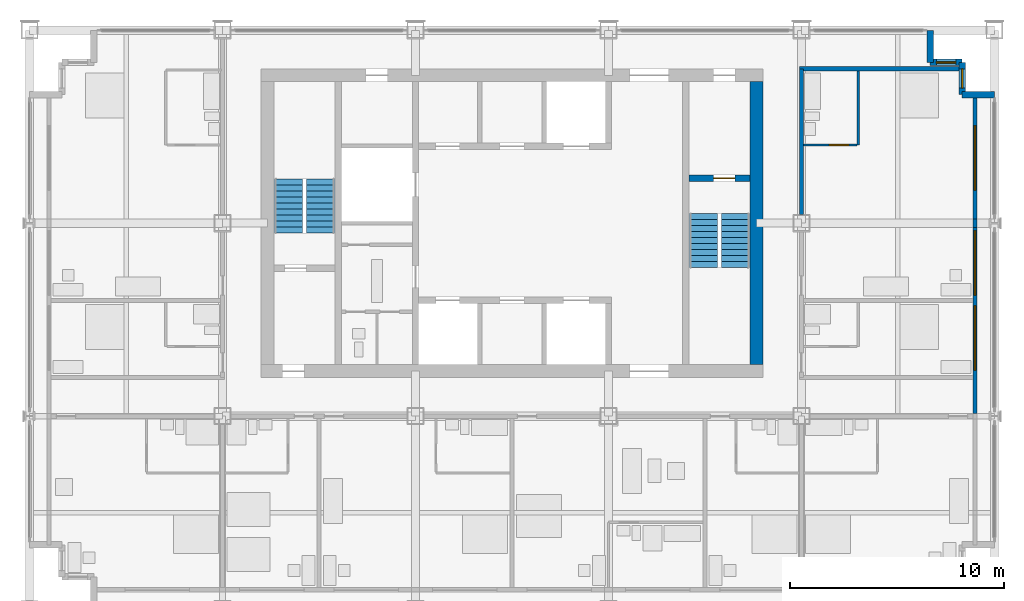
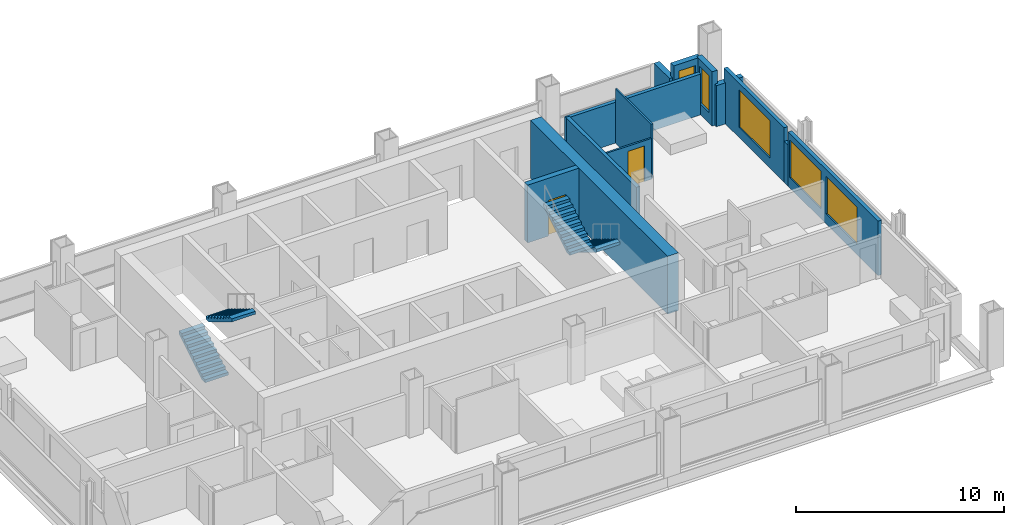
# One storey, part 10 of 13: 13 walls, 5 windows, 4 stair flights, 2 doors, 7 openings, 2 elements without a shape of their own.
"""IFC4 building model written with IfcOpenShell, lengths in metres."""

from ifc_helpers import new_model, si_unit, direction, frame, frame_2d, origin, place, context, subcontext, project, spatial, polyline, rectangle, outline, extrude, material, layer, layer_set, type_object, element, fill, aggregate, save


model = new_model("IFC4")

# Units and contexts
model_context = context("Model", 3, precision=1e-05, world=origin(), true_north=direction((0.0, 1.0)))
body_context = subcontext(model_context, "Body", "Model", "MODEL_VIEW")
ifc_project = project(units=[si_unit("LENGTHUNIT", "METRE"), si_unit("AREAUNIT", "SQUARE_METRE"), si_unit("VOLUMEUNIT", "CUBIC_METRE"), si_unit("PLANEANGLEUNIT", "RADIAN"), si_unit("MASSUNIT", "GRAM", prefix="KILO")], contexts=[model_context])

# Site, building, storey
site_placement = place(None, origin())
site = spatial("IfcSite", under=ifc_project, at=site_placement, CompositionType="ELEMENT")
building_placement = place(site_placement, origin())
building = spatial("IfcBuilding", under=site, at=building_placement, Name="Loomwork Tower", CompositionType="ELEMENT")
storey_placement = place(building_placement, frame((0.0, 0.0, 208.0)))
storey = spatial("IfcBuildingStorey", under=building, at=storey_placement, Name="L57", CompositionType="ELEMENT", Elevation=208.0)

# Wall, opening, door
ifc_material_1 = material(Name="Concrete 14000 psi (97 MPa)", Category="concrete")
ifc_layer_1 = layer(ifc_material_1, 0.300048828125)
ifc_layer_set_1 = layer_set([ifc_layer_1], Name="Core shear wall 300")
wall_type_1 = type_object("IfcWallType", Name="Core shear wall 300", PredefinedType="SHEAR", material=ifc_layer_set_1)
wall_1_placement = place(storey_placement, frame((30.75, 20.10009765625, 0.0), z_axis=(0.0, 0.0, 1.0), x_axis=(1.0, 0.0, 0.0)))
wall_1 = element("IfcWall", 1, at=wall_1_placement, inside=storey, type_object=wall_type_1, Name="Stair B north wall L57", PredefinedType="SHEAR", context=body_context, shape_type="SweptSolid", body=[
    extrude(rectangle(XDim=2.85009765625, YDim=0.300048828125, at=frame_2d((1.425048828125, 0.0))), origin(), (0.0, 0.0, 1.0), 3.39990234375),
])
opening_1_placement = place(wall_1_placement, frame((1.14990234375, 0.0, 0.0)))
opening_1 = element("IfcOpeningElement", 2, at=opening_1_placement, cuts=wall_1, Name="Opening D4", PredefinedType="OPENING", context=body_context, shape_type="SweptSolid", body=[
    extrude(rectangle(XDim=1.0, YDim=2.10009765625, at=frame_2d((0.5, 1.050048828125))), frame((0.0, 0.159912109375, 0.0), z_axis=(0.0, -1.0, 0.0), x_axis=(1.0, 0.0, 0.0)), (0.0, 0.0, 1.0), 0.320068359375),
])
ifc_material_2 = material(Name="Hollow metal door and frame")
door_type_1 = type_object("IfcDoorType", Name="Stair door 1000", OperationType="SINGLE_SWING_RIGHT", PredefinedType="DOOR", material=ifc_material_2)
door_1_placement = place(opening_1_placement, frame((1.0, 0.0, 0.0), z_axis=(0.0, 0.0, 1.0), x_axis=(-1.0, 0.0, 0.0)))
door_1 = element("IfcDoor", 3, at=door_1_placement, inside=storey, type_object=door_type_1, Name="Stair B door", OperationType="SINGLE_SWING_LEFT", OverallHeight=2.10009765625, OverallWidth=1.0, PredefinedType="DOOR", context=body_context, shape_type="SweptSolid", body=[
    extrude(rectangle(XDim=1.0, YDim=2.10009765625, at=frame_2d((0.5, 1.050048828125))), frame((0.0, 0.02490234375, 0.0), z_axis=(0.0, -1.0, 0.0), x_axis=(1.0, 0.0, 0.0)), (0.0, 0.0, 1.0), 0.050048828125),
])
fill(opening_1, door_1)

# Walls
ifc_material_3 = material(Name="Concrete 14000 psi (97 MPa)", Category="concrete")
ifc_layer_2 = layer(ifc_material_3, 0.60009765625)
ifc_layer_set_2 = layer_set([ifc_layer_2], Name="Core shear wall 600")
wall_type_2 = type_object("IfcWallType", Name="Core shear wall 600", PredefinedType="SHEAR", material=ifc_layer_set_2)
wall_2_placement = place(storey_placement, frame((33.89990234375, 11.39990234375, 0.0), z_axis=(0.0, 0.0, 1.0), x_axis=(0.0, 1.0, 0.0)))
element("IfcWall", 4, at=wall_2_placement, inside=storey, type_object=wall_type_2, Name="Core wall east L57", PredefinedType="SHEAR", context=body_context, shape_type="SweptSolid", body=[
    extrude(rectangle(XDim=13.2001953125, YDim=0.60009765625, at=frame_2d((6.60009765625, 0.0))), origin(), (0.0, 0.0, 1.0), 3.39990234375),
])
ifc_material_4 = material(Name="Gypsum board on steel studs, one-hour", Category="steel")
ifc_layer_3 = layer(ifc_material_4, 0.199951171875)
ifc_layer_set_3 = layer_set([ifc_layer_3], Name="Corridor wall 200")
wall_type_3 = type_object("IfcWallType", Name="Corridor wall 200", PredefinedType="PARTITIONING", material=ifc_layer_set_3)
wall_3_placement = place(storey_placement, frame((36.0, 18.39990234375, 0.0), z_axis=(0.0, 0.0, 1.0), x_axis=(0.0, 1.0, 0.0)))
element("IfcWall", 5, at=wall_3_placement, inside=storey, type_object=wall_type_3, Name="East corridor wall 2", PredefinedType="PARTITIONING", context=body_context, shape_type="SweptSolid", body=[
    extrude(rectangle(XDim=6.800048828125, YDim=0.199951171875, at=frame_2d((3.39990234375, 0.0))), origin(), (0.0, 0.0, 1.0), 2.405029296875),
])
wall_4_placement = place(storey_placement, frame((35.89990234375, 25.199951171875, 0.0), z_axis=(0.0, 0.0, 1.0), x_axis=(1.0, 0.0, 0.0)))
element("IfcWall", 6, at=wall_4_placement, inside=storey, type_object=wall_type_3, Name="East band end wall N", PredefinedType="PARTITIONING", context=body_context, shape_type="SweptSolid", body=[
    extrude(rectangle(XDim=7.4501953125, YDim=0.199951171875, at=frame_2d((3.72509765625, 0.0))), origin(), (0.0, 0.0, 1.0), 2.404052734375),
])
ifc_material_5 = material(Name="Cement board on steel studs", Category="steel")
ifc_layer_4 = layer(ifc_material_5, 0.10009765625)
ifc_layer_set_4 = layer_set([ifc_layer_4], Name="En-suite partition 100")
wall_type_4 = type_object("IfcWallType", Name="En-suite partition 100", PredefinedType="PARTITIONING", material=ifc_layer_set_4)
wall_5_placement = place(storey_placement, frame((38.64990234375, 21.64990234375, 0.0), z_axis=(0.0, 0.0, 1.0), x_axis=(0.0, 1.0, 0.0)))
element("IfcWall", 7, at=wall_5_placement, inside=storey, type_object=wall_type_4, Name="En-suite wall L57 room 10", PredefinedType="PARTITIONING", context=body_context, shape_type="SweptSolid", body=[
    extrude(rectangle(XDim=3.4501953125, YDim=0.10009765625, at=frame_2d((1.72509765625, 0.0))), origin(), (0.0, 0.0, 1.0), 3.199951171875),
])

# Wall, opening, door
wall_6_placement = place(storey_placement, frame((36.10009765625, 21.64990234375, 0.0), z_axis=(0.0, 0.0, 1.0), x_axis=(1.0, 0.0, 0.0)))
wall_6 = element("IfcWall", 8, at=wall_6_placement, inside=storey, type_object=wall_type_4, Name="En-suite side wall L57 room 10", PredefinedType="PARTITIONING", context=body_context, shape_type="SweptSolid", body=[
    extrude(rectangle(XDim=2.5, YDim=0.10009765625, at=frame_2d((1.25, 0.0))), origin(), (0.0, 0.0, 1.0), 2.404052734375),
])
opening_2_placement = place(wall_6_placement, frame((1.199951171875, 0.0, 0.0)))
opening_2 = element("IfcOpeningElement", 9, at=opening_2_placement, cuts=wall_6, Name="Opening D2", PredefinedType="OPENING", context=body_context, shape_type="SweptSolid", body=[
    extrude(rectangle(XDim=0.89990234375, YDim=2.10009765625, at=frame_2d((0.449951171875, 1.050048828125))), frame((0.0, 0.06005859375, 0.0), z_axis=(0.0, -1.0, 0.0), x_axis=(1.0, 0.0, 0.0)), (0.0, 0.0, 1.0), 0.1201171875),
])
ifc_material_6 = material(Name="Hollow metal door and frame")
door_type_2 = type_object("IfcDoorType", Name="En-suite door 900", OperationType="SINGLE_SWING_LEFT", PredefinedType="DOOR", material=ifc_material_6)
door_2_placement = place(opening_2_placement, origin())
door_2 = element("IfcDoor", 10, at=door_2_placement, inside=storey, type_object=door_type_2, Name="En-suite door room 10", OperationType="SINGLE_SWING_RIGHT", OverallHeight=2.10009765625, OverallWidth=0.89990234375, PredefinedType="DOOR", context=body_context, shape_type="SweptSolid", body=[
    extrude(rectangle(XDim=0.89990234375, YDim=2.10009765625, at=frame_2d((0.449951171875, 1.050048828125))), frame((0.0, 0.02490234375, 0.0), z_axis=(0.0, -1.0, 0.0), x_axis=(1.0, 0.0, 0.0)), (0.0, 0.0, 1.0), 0.050048828125),
])
fill(opening_2, door_2)

# Wall, openings, windows
ifc_material_7 = material(Name="Insulated steel stud wall with gypsum lining", Category="steel")
ifc_layer_5 = layer(ifc_material_7, 0.199951171875)
ifc_layer_set_5 = layer_set([ifc_layer_5], Name="Inner skin wall 200")
wall_type_5 = type_object("IfcWallType", Name="Inner skin wall 200", PredefinedType="SOLIDWALL", material=ifc_layer_set_5)
wall_7_placement = place(storey_placement, frame((44.10009765625, 9.13525390625, 0.0), z_axis=(0.0, 0.0, 1.0), x_axis=(0.0, 1.0, 0.0)))
wall_7 = element("IfcWall", 11, at=wall_7_placement, inside=storey, type_object=wall_type_5, Name="Inner skin wall E bay 5", PredefinedType="SOLIDWALL", context=body_context, shape_type="SweptSolid", body=[
    extrude(rectangle(XDim=8.6708984375, YDim=0.199951171875, at=frame_2d((4.33544921875, 0.0))), origin(), (0.0, 0.0, 1.0), 3.199951171875),
])
opening_3_placement = place(wall_7_placement, frame((2.0146484375, 0.0, 0.60009765625)))
opening_3 = element("IfcOpeningElement", 12, at=opening_3_placement, cuts=wall_7, Name="Opening CH1", PredefinedType="OPENING", context=body_context, shape_type="SweptSolid", body=[
    extrude(rectangle(XDim=3.0, YDim=2.199951171875, at=frame_2d((1.5, 1.10009765625))), frame((0.0, 0.10986328125, 0.0), z_axis=(0.0, -1.0, 0.0), x_axis=(1.0, 0.0, 0.0)), (0.0, 0.0, 1.0), 0.219970703125),
])
opening_4_placement = place(wall_7_placement, frame((5.5146484375, 0.0, 0.60009765625)))
opening_4 = element("IfcOpeningElement", 13, at=opening_4_placement, cuts=wall_7, Name="Opening CH1", PredefinedType="OPENING", context=body_context, shape_type="SweptSolid", body=[
    extrude(rectangle(XDim=3.0, YDim=2.199951171875, at=frame_2d((1.5, 1.10009765625))), frame((0.0, 0.10986328125, 0.0), z_axis=(0.0, -1.0, 0.0), x_axis=(1.0, 0.0, 0.0)), (0.0, 0.0, 1.0), 0.219970703125),
])
ifc_material_8 = material(Name="Aluminium frame with clear insulated glass", Category="aluminium")
window_type_1 = type_object("IfcWindowType", Name="Chicago window 3000", PartitioningType="TRIPLE_PANEL_VERTICAL", PredefinedType="WINDOW", material=ifc_material_8)
window_1_placement = place(opening_3_placement, origin())
window_1 = element("IfcWindow", 14, at=window_1_placement, inside=storey, type_object=window_type_1, Name="Chicago window L57 bay 8", OverallHeight=2.199951171875, OverallWidth=3.0, PartitioningType="TRIPLE_PANEL_VERTICAL", PredefinedType="WINDOW", context=body_context, shape_type="SweptSolid", body=[
    extrude(rectangle(XDim=3.0, YDim=2.199951171875, at=frame_2d((1.5, 1.10009765625))), frame((0.0, 0.030029296875, 0.0), z_axis=(0.0, -1.0, 0.0), x_axis=(1.0, 0.0, 0.0)), (0.0, 0.0, 1.0), 0.06005859375),
])
fill(opening_3, window_1)
window_2_placement = place(opening_4_placement, origin())
window_2 = element("IfcWindow", 15, at=window_2_placement, inside=storey, type_object=window_type_1, Name="Chicago window L57 bay 8", OverallHeight=2.199951171875, OverallWidth=3.0, PartitioningType="TRIPLE_PANEL_VERTICAL", PredefinedType="WINDOW", context=body_context, shape_type="SweptSolid", body=[
    extrude(rectangle(XDim=3.0, YDim=2.199951171875, at=frame_2d((1.5, 1.10009765625))), frame((0.0, 0.030029296875, 0.0), z_axis=(0.0, -1.0, 0.0), x_axis=(1.0, 0.0, 0.0)), (0.0, 0.0, 1.0), 0.06005859375),
])
fill(opening_4, window_2)

# Wall
wall_8_placement = place(storey_placement, frame((44.10009765625, 17.80615234375, 0.0), z_axis=(0.0, 0.0, 1.0), x_axis=(0.0, 1.0, 0.0)))
element("IfcWall", 16, at=wall_8_placement, inside=storey, type_object=wall_type_5, Name="Inner skin wall E bay 6", PredefinedType="SOLIDWALL", context=body_context, shape_type="SweptSolid", body=[
    extrude(rectangle(XDim=0.3876953125, YDim=0.199951171875, at=frame_2d((0.19384765625, 0.0))), origin(), (0.0, 0.0, 1.0), 2.404052734375),
])

# Wall, opening, window
wall_9_placement = place(storey_placement, frame((44.10009765625, 18.19384765625, 0.0), z_axis=(0.0, 0.0, 1.0), x_axis=(0.0, 1.0, 0.0)))
wall_9 = element("IfcWall", 17, at=wall_9_placement, inside=storey, type_object=wall_type_5, Name="Inner skin wall E bay 7", PredefinedType="SOLIDWALL", context=body_context, shape_type="SweptSolid", body=[
    extrude(rectangle(XDim=5.80615234375, YDim=0.199951171875, at=frame_2d((2.903076171875, 0.0))), origin(), (0.0, 0.0, 1.0), 3.199951171875),
])
opening_5_placement = place(wall_9_placement, frame((1.356201171875, 0.0, 0.60009765625)))
opening_5 = element("IfcOpeningElement", 18, at=opening_5_placement, cuts=wall_9, Name="Opening CH1", PredefinedType="OPENING", context=body_context, shape_type="SweptSolid", body=[
    extrude(rectangle(XDim=3.0, YDim=2.199951171875, at=frame_2d((1.5, 1.10009765625))), frame((0.0, 0.10986328125, 0.0), z_axis=(0.0, -1.0, 0.0), x_axis=(1.0, 0.0, 0.0)), (0.0, 0.0, 1.0), 0.219970703125),
])
window_3_placement = place(opening_5_placement, origin())
window_3 = element("IfcWindow", 19, at=window_3_placement, inside=storey, type_object=window_type_1, Name="Chicago window L57 bay 9", OverallHeight=2.199951171875, OverallWidth=3.0, PartitioningType="TRIPLE_PANEL_VERTICAL", PredefinedType="WINDOW", context=body_context, shape_type="SweptSolid", body=[
    extrude(rectangle(XDim=3.0, YDim=2.199951171875, at=frame_2d((1.5, 1.10009765625))), frame((0.0, 0.030029296875, 0.0), z_axis=(0.0, -1.0, 0.0), x_axis=(1.0, 0.0, 0.0)), (0.0, 0.0, 1.0), 0.06005859375),
])
fill(opening_5, window_3)

# Wall
ifc_material_9 = material(Name="Limestone on concrete masonry", Category="masonry")
ifc_layer_6 = layer(ifc_material_9, 0.300048828125)
ifc_layer_set_6 = layer_set([ifc_layer_6], Name="Limestone corner wall 300")
wall_type_6 = type_object("IfcWallType", Name="Limestone corner wall 300", PredefinedType="SOLIDWALL", material=ifc_layer_set_6)
wall_10_placement = place(storey_placement, frame((45.0, 24.0, 0.0), z_axis=(0.0, 0.0, 1.0), x_axis=(-1.0, 0.0, 0.0)))
element("IfcWall", 20, at=wall_10_placement, inside=storey, type_object=wall_type_6, Name="Stone corner wall NE 1", PredefinedType="SOLIDWALL", context=body_context, shape_type="SweptSolid", body=[
    extrude(rectangle(XDim=1.5, YDim=0.300048828125, at=frame_2d((0.75, 0.0))), origin(), (0.0, 0.0, 1.0), 2.419921875),
])

# Wall, opening, window
wall_11_placement = place(storey_placement, frame((43.5, 24.0, 0.0), z_axis=(0.0, 0.0, 1.0), x_axis=(0.0, 1.0, 0.0)))
wall_11 = element("IfcWall", 21, at=wall_11_placement, inside=storey, type_object=wall_type_6, Name="Stone corner wall NE 2", PredefinedType="SOLIDWALL", context=body_context, shape_type="SweptSolid", body=[
    extrude(rectangle(XDim=1.5, YDim=0.300048828125, at=frame_2d((0.75, 0.0))), origin(), (0.0, 0.0, 1.0), 3.199951171875),
])
opening_6_placement = place(wall_11_placement, frame((0.300048828125, 0.0, 0.60009765625)))
opening_6 = element("IfcOpeningElement", 22, at=opening_6_placement, cuts=wall_11, Name="Opening CH2", PredefinedType="OPENING", context=body_context, shape_type="SweptSolid", body=[
    extrude(rectangle(XDim=0.89990234375, YDim=2.199951171875, at=frame_2d((0.449951171875, 1.10009765625))), frame((0.0, 0.159912109375, 0.0), z_axis=(0.0, -1.0, 0.0), x_axis=(1.0, 0.0, 0.0)), (0.0, 0.0, 1.0), 0.320068359375),
])
ifc_material_10 = material(Name="Aluminium frame with clear insulated glass", Category="aluminium")
window_type_2 = type_object("IfcWindowType", Name="Corner window 900", PartitioningType="SINGLE_PANEL", PredefinedType="WINDOW", material=ifc_material_10)
window_4_placement = place(opening_6_placement, origin())
window_4 = element("IfcWindow", 23, at=window_4_placement, inside=storey, type_object=window_type_2, Name="Corner window NE", OverallHeight=2.199951171875, OverallWidth=0.89990234375, PartitioningType="SINGLE_PANEL", PredefinedType="WINDOW", context=body_context, shape_type="SweptSolid", body=[
    extrude(rectangle(XDim=0.89990234375, YDim=2.199951171875, at=frame_2d((0.449951171875, 1.10009765625))), frame((0.0, 0.030029296875, 0.0), z_axis=(0.0, -1.0, 0.0), x_axis=(1.0, 0.0, 0.0)), (0.0, 0.0, 1.0), 0.06005859375),
])
fill(opening_6, window_4)

wall_12_placement = place(storey_placement, frame((43.5, 25.5, 0.0), z_axis=(0.0, 0.0, 1.0), x_axis=(-1.0, 0.0, 0.0)))
wall_12 = element("IfcWall", 24, at=wall_12_placement, inside=storey, type_object=wall_type_6, Name="Stone corner wall NE 3", PredefinedType="SOLIDWALL", context=body_context, shape_type="SweptSolid", body=[
    extrude(rectangle(XDim=1.5, YDim=0.300048828125, at=frame_2d((0.75, 0.0))), origin(), (0.0, 0.0, 1.0), 3.199951171875),
])
opening_7_placement = place(wall_12_placement, frame((0.300048828125, 0.0, 0.60009765625)))
opening_7 = element("IfcOpeningElement", 25, at=opening_7_placement, cuts=wall_12, Name="Opening CH2", PredefinedType="OPENING", context=body_context, shape_type="SweptSolid", body=[
    extrude(rectangle(XDim=0.89990234375, YDim=2.199951171875, at=frame_2d((0.449951171875, 1.10009765625))), frame((0.0, 0.159912109375, 0.0), z_axis=(0.0, -1.0, 0.0), x_axis=(1.0, 0.0, 0.0)), (0.0, 0.0, 1.0), 0.320068359375),
])
window_5_placement = place(opening_7_placement, origin())
window_5 = element("IfcWindow", 26, at=window_5_placement, inside=storey, type_object=window_type_2, Name="Corner window NE", OverallHeight=2.199951171875, OverallWidth=0.89990234375, PartitioningType="SINGLE_PANEL", PredefinedType="WINDOW", context=body_context, shape_type="SweptSolid", body=[
    extrude(rectangle(XDim=0.89990234375, YDim=2.199951171875, at=frame_2d((0.449951171875, 1.10009765625))), frame((0.0, 0.030029296875, 0.0), z_axis=(0.0, -1.0, 0.0), x_axis=(1.0, 0.0, 0.0)), (0.0, 0.0, 1.0), 0.06005859375),
])
fill(opening_7, window_5)

# Wall
wall_13_placement = place(storey_placement, frame((42.0, 25.5, 0.0), z_axis=(0.0, 0.0, 1.0), x_axis=(0.0, 1.0, 0.0)))
element("IfcWall", 27, at=wall_13_placement, inside=storey, type_object=wall_type_6, Name="Stone corner wall NE 4", PredefinedType="SOLIDWALL", context=body_context, shape_type="SweptSolid", body=[
    extrude(rectangle(XDim=1.5, YDim=0.300048828125, at=frame_2d((0.75, 0.0))), origin(), (0.0, 0.0, 1.0), 2.419921875),
])

# Stair, stair flights
ifc_material_11 = material(Name="Concrete 5000 psi (34 MPa) precast stair", Category="concrete")
stair_type_1 = type_object("IfcStairType", Name="Stair ST-A 20 risers 2850 wide", PredefinedType="HALF_TURN_STAIR", material=ifc_material_11)
stair_1_placement = place(storey_placement, origin())
stair_1 = element("IfcStair", 28, at=stair_1_placement, inside=storey, type_object=stair_type_1, Name="Stair A L57", PredefinedType="HALF_TURN_STAIR")
ifc_material_12 = material(Name="Concrete 5000 psi (34 MPa) precast stair", Category="concrete")
stair_flight_type_1 = type_object("IfcStairFlightType", Name="Stair flight ST-A 10 risers 1300 wide", PredefinedType="STRAIGHT", material=ifc_material_12)
stair_flight_1_placement = place(storey_placement, frame((12.074951171875, 17.550048828125, 0.0), z_axis=(0.0, 0.0, 1.0), x_axis=(0.0, 1.0, 0.0)))
stair_flight_1 = element("IfcStairFlight", 29, at=stair_flight_1_placement, type_object=stair_flight_type_1, Name="ST-A flight 1", NumberOfRisers=10, NumberOfTreads=9, PredefinedType="STRAIGHT", RiserHeight=0.17, TreadLength=0.28, context=body_context, shape_type="SweptSolid", body=[
    extrude(outline(polyline([(0.0, 0.0), (0.0, 0.169921875), (0.280029296875, 0.169921875), (0.280029296875, 0.340087890625), (0.56005859375, 0.340087890625), (0.56005859375, 0.510009765625), (0.840087890625, 0.510009765625), (0.840087890625, 0.679931640625), (1.1201171875, 0.679931640625), (1.1201171875, 0.85009765625), (1.39990234375, 0.85009765625), (1.39990234375, 1.02001953125), (1.679931640625, 1.02001953125), (1.679931640625, 1.18994140625), (1.9599609375, 1.18994140625), (1.9599609375, 1.360107421875), (2.239990234375, 1.360107421875), (2.239990234375, 1.530029296875), (2.52001953125, 1.530029296875), (2.52001953125, 1.699951171875), (2.52001953125, 1.354736328125), (0.288818359375, 0.0), (0.0, 0.0)])), frame((0.0, 0.64990234375, 0.0), z_axis=(0.0, -1.0, 0.0), x_axis=(1.0, 0.0, 0.0)), (0.0, 0.0, 1.0), 1.300048828125),
])
stair_flight_2_placement = place(storey_placement, frame((13.574951171875, 20.070068359375, 1.699951171875), z_axis=(0.0, 0.0, 1.0), x_axis=(0.0, -1.0, 0.0)))
stair_flight_2 = element("IfcStairFlight", 30, at=stair_flight_2_placement, type_object=stair_flight_type_1, Name="ST-A flight 2", NumberOfRisers=10, NumberOfTreads=9, PredefinedType="STRAIGHT", RiserHeight=0.17, TreadLength=0.28, context=body_context, shape_type="SweptSolid", body=[
    extrude(outline(polyline([(0.0, 0.0), (0.0, 0.169921875), (0.280029296875, 0.169921875), (0.280029296875, 0.340087890625), (0.56005859375, 0.340087890625), (0.56005859375, 0.510009765625), (0.840087890625, 0.510009765625), (0.840087890625, 0.679931640625), (1.1201171875, 0.679931640625), (1.1201171875, 0.85009765625), (1.39990234375, 0.85009765625), (1.39990234375, 1.02001953125), (1.679931640625, 1.02001953125), (1.679931640625, 1.18994140625), (1.9599609375, 1.18994140625), (1.9599609375, 1.360107421875), (2.239990234375, 1.360107421875), (2.239990234375, 1.530029296875), (2.52001953125, 1.530029296875), (2.52001953125, 1.699951171875), (2.52001953125, 1.354736328125), (0.288818359375, 0.0), (0.0, 0.0)])), frame((0.0, 0.64990234375, 0.0), z_axis=(0.0, -1.0, 0.0), x_axis=(1.0, 0.0, 0.0)), (0.0, 0.0, 1.0), 1.300048828125),
])
aggregate(stair_1, [stair_flight_1, stair_flight_2])

ifc_material_13 = material(Name="Concrete 5000 psi (34 MPa) precast stair", Category="concrete")
stair_type_2 = type_object("IfcStairType", Name="Stair ST-B 20 risers 2850 wide", PredefinedType="HALF_TURN_STAIR", material=ifc_material_13)
stair_2_placement = place(storey_placement, origin())
stair_2 = element("IfcStair", 31, at=stair_2_placement, inside=storey, type_object=stair_type_2, Name="Stair B L57", PredefinedType="HALF_TURN_STAIR")
ifc_material_14 = material(Name="Concrete 5000 psi (34 MPa) precast stair", Category="concrete")
stair_flight_type_2 = type_object("IfcStairFlightType", Name="Stair flight ST-B 10 risers 1300 wide", PredefinedType="STRAIGHT", material=ifc_material_14)
stair_flight_3_placement = place(storey_placement, frame((32.925048828125, 18.449951171875, 0.0), z_axis=(0.0, 0.0, 1.0), x_axis=(0.0, -1.0, 0.0)))
stair_flight_3 = element("IfcStairFlight", 32, at=stair_flight_3_placement, type_object=stair_flight_type_2, Name="ST-B flight 1", NumberOfRisers=10, NumberOfTreads=9, PredefinedType="STRAIGHT", RiserHeight=0.17, TreadLength=0.28, context=body_context, shape_type="SweptSolid", body=[
    extrude(outline(polyline([(0.0, 0.0), (0.0, 0.169921875), (0.280029296875, 0.169921875), (0.280029296875, 0.340087890625), (0.56005859375, 0.340087890625), (0.56005859375, 0.510009765625), (0.840087890625, 0.510009765625), (0.840087890625, 0.679931640625), (1.1201171875, 0.679931640625), (1.1201171875, 0.85009765625), (1.39990234375, 0.85009765625), (1.39990234375, 1.02001953125), (1.679931640625, 1.02001953125), (1.679931640625, 1.18994140625), (1.9599609375, 1.18994140625), (1.9599609375, 1.360107421875), (2.239990234375, 1.360107421875), (2.239990234375, 1.530029296875), (2.52001953125, 1.530029296875), (2.52001953125, 1.699951171875), (2.52001953125, 1.354736328125), (0.288818359375, 0.0), (0.0, 0.0)])), frame((0.0, 0.64990234375, 0.0), z_axis=(0.0, -1.0, 0.0), x_axis=(1.0, 0.0, 0.0)), (0.0, 0.0, 1.0), 1.300048828125),
])
stair_flight_4_placement = place(storey_placement, frame((31.425048828125, 15.929931640625, 1.699951171875), z_axis=(0.0, 0.0, 1.0), x_axis=(0.0, 1.0, 0.0)))
stair_flight_4 = element("IfcStairFlight", 33, at=stair_flight_4_placement, type_object=stair_flight_type_2, Name="ST-B flight 2", NumberOfRisers=10, NumberOfTreads=9, PredefinedType="STRAIGHT", RiserHeight=0.17, TreadLength=0.28, context=body_context, shape_type="SweptSolid", body=[
    extrude(outline(polyline([(0.0, 0.0), (0.0, 0.169921875), (0.280029296875, 0.169921875), (0.280029296875, 0.340087890625), (0.56005859375, 0.340087890625), (0.56005859375, 0.510009765625), (0.840087890625, 0.510009765625), (0.840087890625, 0.679931640625), (1.1201171875, 0.679931640625), (1.1201171875, 0.85009765625), (1.39990234375, 0.85009765625), (1.39990234375, 1.02001953125), (1.679931640625, 1.02001953125), (1.679931640625, 1.18994140625), (1.9599609375, 1.18994140625), (1.9599609375, 1.360107421875), (2.239990234375, 1.360107421875), (2.239990234375, 1.530029296875), (2.52001953125, 1.530029296875), (2.52001953125, 1.699951171875), (2.52001953125, 1.354736328125), (0.288818359375, 0.0), (0.0, 0.0)])), frame((0.0, 0.64990234375, 0.0), z_axis=(0.0, -1.0, 0.0), x_axis=(1.0, 0.0, 0.0)), (0.0, 0.0, 1.0), 1.300048828125),
])
aggregate(stair_2, [stair_flight_3, stair_flight_4])

save(model, "model.ifc")
